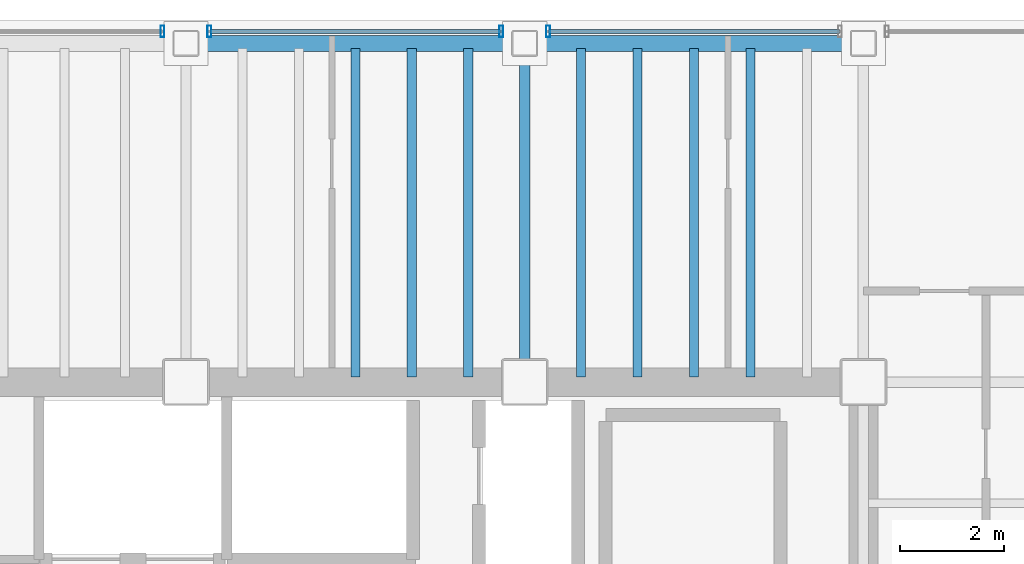
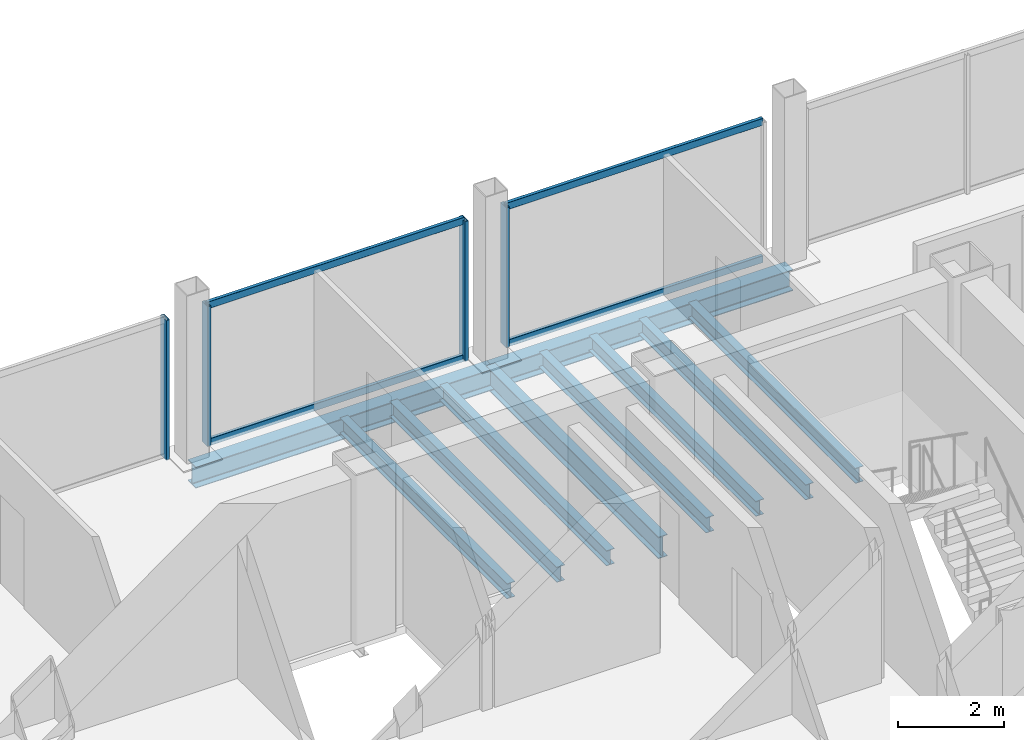
# One storey, part 9 of 16: 10 beams, 8 members, 3 elements without a shape of their own.
"""IFC4 building model written with IfcOpenShell, lengths in metres."""

from ifc_helpers import new_model, si_unit, direction, frame, origin, origin_2d, place, context, subcontext, project, spatial, hollow_rectangle, i_section, extrude, material, material_profile, profile_set, type_object, element, aggregate, save


model = new_model("IFC4")

# Units and contexts
model_context = context("Model", 3, precision=1e-05, world=origin(), true_north=direction((0.0, 1.0)))
body_context = subcontext(model_context, "Body", "Model", "MODEL_VIEW")
ifc_project = project(units=[si_unit("LENGTHUNIT", "METRE"), si_unit("AREAUNIT", "SQUARE_METRE"), si_unit("VOLUMEUNIT", "CUBIC_METRE"), si_unit("PLANEANGLEUNIT", "RADIAN"), si_unit("MASSUNIT", "GRAM", prefix="KILO")], contexts=[model_context])

# Site, building, storey
site_placement = place(None, origin())
site = spatial("IfcSite", under=ifc_project, at=site_placement, CompositionType="ELEMENT")
building_placement = place(site_placement, origin())
building = spatial("IfcBuilding", under=site, at=building_placement, Name="Noeulbin Bourse Tower", CompositionType="ELEMENT")
storey_placement = place(building_placement, frame((0.0, 0.0, 177.300048828125)))
storey = spatial("IfcBuildingStorey", under=building, at=storey_placement, Name="L44", CompositionType="ELEMENT", Elevation=177.300048828125)

# Beams
ifc_material_1 = material(Name="Steel S355", Category="steel")
ifc_material_profile_1 = material_profile(ifc_material_1, i_section(OverallWidth=0.199951171875, OverallDepth=0.5, WebThickness=0.010009765625, FlangeThickness=0.01611328125, FilletRadius=0.02001953125, at=origin_2d()), Name="H-500x200x10x16", Category="LoadBearing")
ifc_profile_set_1 = profile_set([ifc_material_profile_1], Name="Steel S355")
beam_type_1 = type_object("IfcBeamType", Name="BM-GRD-500", PredefinedType="USERDEFINED", material=ifc_profile_set_1)
beam_placement = place(storey_placement, frame((37.5, 38.300048828125, -0.429931640625), z_axis=(0.0, 1.0, 0.0), x_axis=(-1.0, 0.0, 0.0)))
element("IfcBeam", 1, at=beam_placement, inside=storey, type_object=beam_type_1, Name="Tower Primary Girder NS L44-4.4", ObjectType="GIRDER", PredefinedType="USERDEFINED", context=body_context, shape_type="SweptSolid", body=[
    extrude(i_section(OverallWidth=0.199951171875, OverallDepth=0.5, WebThickness=0.010009765625, FlangeThickness=0.01611328125, FilletRadius=0.02001953125, at=origin_2d()), origin(), (0.0, 0.0, 1.0), 6.5),
])
ifc_material_profile_2 = material_profile(ifc_material_1, i_section(OverallWidth=0.175048828125, OverallDepth=0.35009765625, WebThickness=0.007080078125, FlangeThickness=0.010986328125, FilletRadius=0.013916015625, at=origin_2d()), Name="H-350x175x7x11", Category="LoadBearing")
ifc_profile_set_2 = profile_set([ifc_material_profile_2], Name="Steel S355")
beam_type_2 = type_object("IfcBeamType", Name="BM-JST-350", PredefinedType="JOIST", material=ifc_profile_set_2)
for number, where, z_axis, x_axis, name in (
    (2, (34.25, 38.39990234375, -0.35498046875), (0.0, 1.0, 0.0), (-1.0, 0.0, 0.0), "Tower Composite Joist L44-45"),
    (3, (35.333251953125, 38.39990234375, -0.35498046875), (0.0, 1.0, 0.0), (-1.0, 0.0, 0.0), "Tower Composite Joist L44-48"),
    (4, (36.416748046875, 38.39990234375, -0.35498046875), (0.0, 1.0, 0.0), (-1.0, 0.0, 0.0), "Tower Composite Joist L44-51"),
    (5, (38.583251953125, 38.39990234375, -0.35498046875), (0.0, 1.0, 0.0), (-1.0, 0.0, 0.0), "Tower Composite Joist L44-54"),
    (6, (39.666748046875, 38.39990234375, -0.35498046875), (0.0, 1.0, 0.0), (-1.0, 0.0, 0.0), "Tower Composite Joist L44-57"),
    (7, (40.75, 38.39990234375, -0.35498046875), (0.0, 1.0, 0.0), (-1.0, 0.0, 0.0), "Tower Composite Joist L44-60"),
    (8, (41.833251953125, 38.39990234375, -0.35498046875), (0.0, 1.0, 0.0), (-1.0, 0.0, 0.0), "Tower Composite Joist L44-63"),
):
    element("IfcBeam", number, at=place(storey_placement, frame(where, z_axis=z_axis, x_axis=x_axis)), inside=storey, type_object=beam_type_2, Name=name, PredefinedType="JOIST", context=body_context, shape_type="SweptSolid", body=[
        extrude(i_section(OverallWidth=0.175048828125, OverallDepth=0.35009765625, WebThickness=0.007080078125, FlangeThickness=0.010986328125, FilletRadius=0.013916015625, at=origin_2d()), origin(), (0.0, 0.0, 1.0), 6.300048828125),
    ])
ifc_material_profile_3 = material_profile(ifc_material_1, i_section(OverallWidth=0.300048828125, OverallDepth=0.488037109375, WebThickness=0.010986328125, FlangeThickness=0.01806640625, FilletRadius=0.02197265625, at=origin_2d()), Name="H-488x300x11x18", Category="LoadBearing")
ifc_profile_set_3 = profile_set([ifc_material_profile_3], Name="Steel S355")
beam_type_3 = type_object("IfcBeamType", Name="BM-SPN-488", PredefinedType="SPANDREL", material=ifc_profile_set_3)
for number, where, z_axis, x_axis, name in (
    (9, (31.0, 44.800048828125, -0.424072265625), (1.0, 0.0, 0.0), (0.0, 1.0, 0.0), "North Spandrel L44-3"),
    (10, (37.5, 44.800048828125, -0.424072265625), (1.0, 0.0, 0.0), (0.0, 1.0, 0.0), "North Spandrel L44-4"),
):
    element("IfcBeam", number, at=place(storey_placement, frame(where, z_axis=z_axis, x_axis=x_axis)), inside=storey, type_object=beam_type_3, Name=name, PredefinedType="SPANDREL", context=body_context, shape_type="SweptSolid", body=[
        extrude(i_section(OverallWidth=0.300048828125, OverallDepth=0.488037109375, WebThickness=0.010986328125, FlangeThickness=0.01806640625, FilletRadius=0.02197265625, at=origin_2d()), origin(), (0.0, 0.0, 1.0), 6.5),
    ])

# Curtain wall, member
ifc_material_2 = material(Name="Dark Tinted Triple Glazing", Category="glass")
curtain_wall_type = type_object("IfcCurtainWallType", Name="CW-SYS-3", PredefinedType="NOTDEFINED", material=ifc_material_2)
curtain_wall_1_placement = place(storey_placement, origin())
curtain_wall_1 = element("IfcCurtainWall", 11, at=curtain_wall_1_placement, inside=storey, type_object=curtain_wall_type, Name="Unitised Curtain Wall CW-L44-N-S2", PredefinedType="NOTDEFINED")
ifc_material_3 = material(Name="Anodised Aluminium 6063-T6", Category="aluminium")
ifc_material_profile_4 = material_profile(ifc_material_3, hollow_rectangle(XDim=0.074951171875, YDim=0.219970703125, WallThickness=0.0048828125, InnerFilletRadius=0.00244140625, OuterFilletRadius=0.0048828125, at=origin_2d()), Name="ALU-MULL-75x220x5", Category="LoadBearing")
ifc_profile_set_4 = profile_set([ifc_material_profile_4], Name="Anodised Aluminium 6063-T6")
member_type_1 = type_object("IfcMemberType", Name="CW-SYS-3-MUL", PredefinedType="MULLION", material=ifc_profile_set_4)
member_1_placement = place(storey_placement, frame((30.550048828125, 45.030029296875, -0.02001953125), z_axis=(0.0, 0.0, 1.0), x_axis=(1.0, 0.0, 0.0)))
member_1 = element("IfcMember", 12, at=member_1_placement, type_object=member_type_1, Name="Curtain Wall Mullion CW-L44-N-S2-M01", PredefinedType="MULLION", context=body_context, shape_type="SweptSolid", body=[
    extrude(hollow_rectangle(XDim=0.074951171875, YDim=0.219970703125, WallThickness=0.0048828125, InnerFilletRadius=0.00244140625, OuterFilletRadius=0.0048828125, at=origin_2d()), origin(), (0.0, 0.0, 1.0), 3.219970703125),
])
aggregate(curtain_wall_1, [member_1])

# Curtain wall, members
curtain_wall_2_placement = place(storey_placement, origin())
curtain_wall_2 = element("IfcCurtainWall", 13, at=curtain_wall_2_placement, inside=storey, type_object=curtain_wall_type, Name="Unitised Curtain Wall CW-L44-N-S3", PredefinedType="NOTDEFINED")
member_2_placement = place(storey_placement, frame((31.449951171875, 45.030029296875, -0.02001953125), z_axis=(0.0, 0.0, 1.0), x_axis=(1.0, 0.0, 0.0)))
member_2 = element("IfcMember", 14, at=member_2_placement, type_object=member_type_1, Name="Curtain Wall Mullion CW-L44-N-S3-M00", PredefinedType="MULLION", context=body_context, shape_type="SweptSolid", body=[
    extrude(hollow_rectangle(XDim=0.074951171875, YDim=0.219970703125, WallThickness=0.0048828125, InnerFilletRadius=0.00244140625, OuterFilletRadius=0.0048828125, at=origin_2d()), origin(), (0.0, 0.0, 1.0), 3.219970703125),
])
member_3_placement = place(storey_placement, frame((37.050048828125, 45.030029296875, -0.02001953125), z_axis=(0.0, 0.0, 1.0), x_axis=(1.0, 0.0, 0.0)))
member_3 = element("IfcMember", 15, at=member_3_placement, type_object=member_type_1, Name="Curtain Wall Mullion CW-L44-N-S3-M01", PredefinedType="MULLION", context=body_context, shape_type="SweptSolid", body=[
    extrude(hollow_rectangle(XDim=0.074951171875, YDim=0.219970703125, WallThickness=0.0048828125, InnerFilletRadius=0.00244140625, OuterFilletRadius=0.0048828125, at=origin_2d()), origin(), (0.0, 0.0, 1.0), 3.219970703125),
])

# Curtain wall, member
curtain_wall_3_placement = place(storey_placement, origin())
curtain_wall_3 = element("IfcCurtainWall", 16, at=curtain_wall_3_placement, inside=storey, type_object=curtain_wall_type, Name="Unitised Curtain Wall CW-L44-N-S4", PredefinedType="NOTDEFINED")
member_4_placement = place(storey_placement, frame((37.949951171875, 45.030029296875, -0.02001953125), z_axis=(0.0, 0.0, 1.0), x_axis=(1.0, 0.0, 0.0)))
member_4 = element("IfcMember", 17, at=member_4_placement, type_object=member_type_1, Name="Curtain Wall Mullion CW-L44-N-S4-M00", PredefinedType="MULLION", context=body_context, shape_type="SweptSolid", body=[
    extrude(hollow_rectangle(XDim=0.074951171875, YDim=0.219970703125, WallThickness=0.0048828125, InnerFilletRadius=0.00244140625, OuterFilletRadius=0.0048828125, at=origin_2d()), origin(), (0.0, 0.0, 1.0), 3.219970703125),
])

# Member
ifc_material_profile_5 = material_profile(ifc_material_3, hollow_rectangle(XDim=0.074951171875, YDim=0.159912109375, WallThickness=0.0048828125, InnerFilletRadius=0.00244140625, OuterFilletRadius=0.0048828125, at=origin_2d()), Name="ALU-TRAN-75x160x5", Category="LoadBearing")
ifc_profile_set_5 = profile_set([ifc_material_profile_5], Name="Anodised Aluminium 6063-T6")
member_type_2 = type_object("IfcMemberType", Name="CW-SYS-3-TRN", PredefinedType="USERDEFINED", material=ifc_profile_set_5)
member_5_placement = place(storey_placement, frame((31.4599609375, 45.030029296875, 0.010009765625), z_axis=(1.0, 0.0, 0.0), x_axis=(0.0, 1.0, 0.0)))
member_5 = element("IfcMember", 18, at=member_5_placement, type_object=member_type_2, Name="Curtain Wall Transom CW-L44-N-S3-T00", ObjectType="TRANSOM", PredefinedType="USERDEFINED", context=body_context, shape_type="SweptSolid", body=[
    extrude(hollow_rectangle(XDim=0.074951171875, YDim=0.159912109375, WallThickness=0.0048828125, InnerFilletRadius=0.00244140625, OuterFilletRadius=0.0048828125, at=origin_2d()), origin(), (0.0, 0.0, 1.0), 5.580078125),
])

member_6_placement = place(storey_placement, frame((31.4599609375, 45.030029296875, 3.169921875), z_axis=(1.0, 0.0, 0.0), x_axis=(0.0, 1.0, 0.0)))
member_6 = element("IfcMember", 19, at=member_6_placement, type_object=member_type_2, Name="Curtain Wall Transom CW-L44-N-S3-T01", ObjectType="TRANSOM", PredefinedType="USERDEFINED", context=body_context, shape_type="SweptSolid", body=[
    extrude(hollow_rectangle(XDim=0.074951171875, YDim=0.159912109375, WallThickness=0.0048828125, InnerFilletRadius=0.00244140625, OuterFilletRadius=0.0048828125, at=origin_2d()), origin(), (0.0, 0.0, 1.0), 5.580078125),
])

aggregate(curtain_wall_2, [member_2, member_3, member_5, member_6])

member_7_placement = place(storey_placement, frame((37.9599609375, 45.030029296875, 0.010009765625), z_axis=(1.0, 0.0, 0.0), x_axis=(0.0, 1.0, 0.0)))
member_7 = element("IfcMember", 20, at=member_7_placement, type_object=member_type_2, Name="Curtain Wall Transom CW-L44-N-S4-T00", ObjectType="TRANSOM", PredefinedType="USERDEFINED", context=body_context, shape_type="SweptSolid", body=[
    extrude(hollow_rectangle(XDim=0.074951171875, YDim=0.159912109375, WallThickness=0.0048828125, InnerFilletRadius=0.00244140625, OuterFilletRadius=0.0048828125, at=origin_2d()), origin(), (0.0, 0.0, 1.0), 5.580078125),
])

member_8_placement = place(storey_placement, frame((37.9599609375, 45.030029296875, 3.169921875), z_axis=(1.0, 0.0, 0.0), x_axis=(0.0, 1.0, 0.0)))
member_8 = element("IfcMember", 21, at=member_8_placement, type_object=member_type_2, Name="Curtain Wall Transom CW-L44-N-S4-T01", ObjectType="TRANSOM", PredefinedType="USERDEFINED", context=body_context, shape_type="SweptSolid", body=[
    extrude(hollow_rectangle(XDim=0.074951171875, YDim=0.159912109375, WallThickness=0.0048828125, InnerFilletRadius=0.00244140625, OuterFilletRadius=0.0048828125, at=origin_2d()), origin(), (0.0, 0.0, 1.0), 5.580078125),
])

aggregate(curtain_wall_3, [member_4, member_7, member_8])

save(model, "model.ifc")
